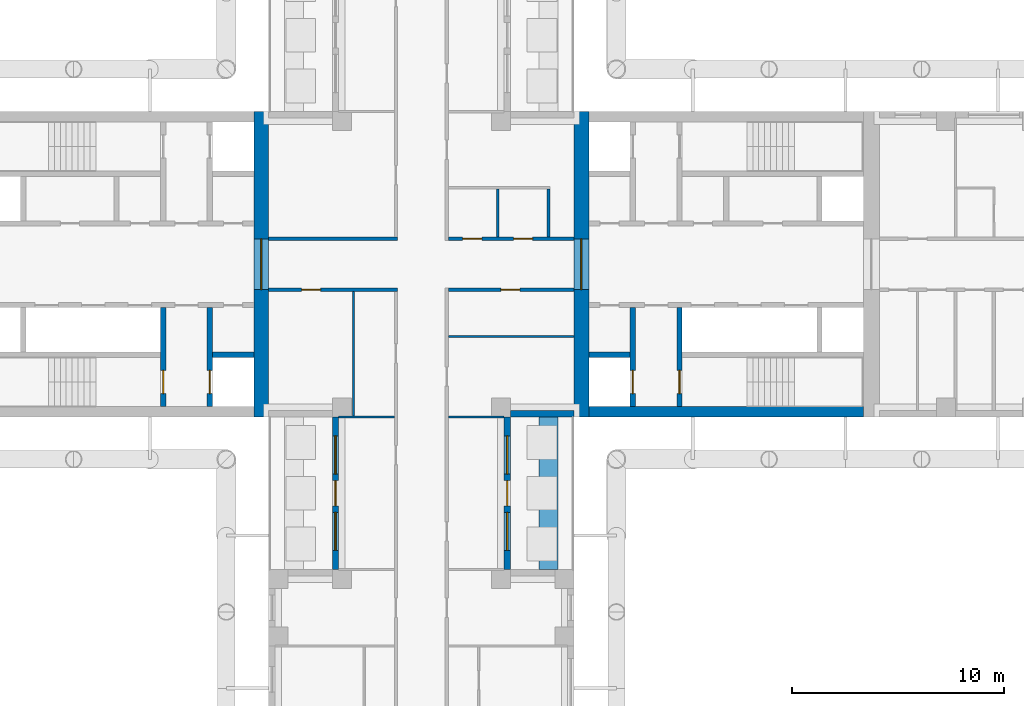
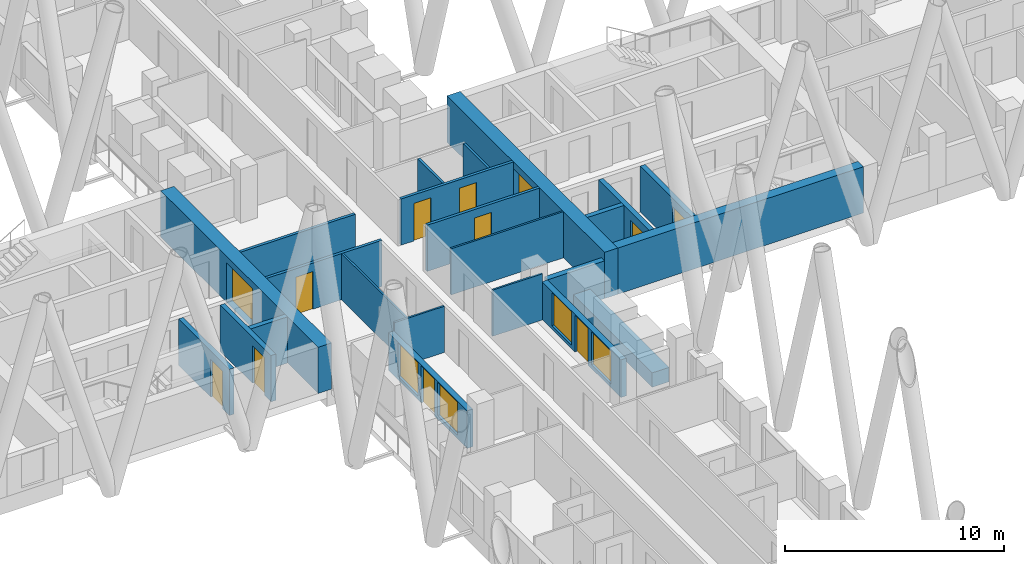
# One storey, part 8 of 16: 23 walls, 12 doors, 4 windows, 16 openings.
"""IFC4 building model written with IfcOpenShell, lengths in metres."""

from ifc_helpers import new_model, si_unit, direction, frame, frame_2d, origin, place, context, subcontext, project, spatial, rectangle, extrude, material, layer, layer_set, type_object, element, fill, save


model = new_model("IFC4")

# Units and contexts
model_context = context("Model", 3, precision=1e-05, world=origin(), true_north=direction((0.0, 1.0)))
body_context = subcontext(model_context, "Body", "Model", "MODEL_VIEW")
ifc_project = project(units=[si_unit("LENGTHUNIT", "METRE"), si_unit("AREAUNIT", "SQUARE_METRE"), si_unit("VOLUMEUNIT", "CUBIC_METRE"), si_unit("PLANEANGLEUNIT", "RADIAN"), si_unit("MASSUNIT", "GRAM", prefix="KILO")], contexts=[model_context])

# Site, building, storey
site_placement = place(None, origin())
site = spatial("IfcSite", under=ifc_project, at=site_placement, CompositionType="ELEMENT")
building_placement = place(site_placement, origin())
building = spatial("IfcBuilding", under=site, at=building_placement, Name="Fustian Cross Tower", CompositionType="ELEMENT")
storey_placement = place(building_placement, frame((0.0, 0.0, 44.699951171875)))
storey = spatial("IfcBuildingStorey", under=building, at=storey_placement, Name="L13", CompositionType="ELEMENT", Elevation=44.699951171875)

# Wall, opening, door
ifc_material_1 = material(Name="Plasterboard on steel stud", Category="steel")
ifc_layer_1 = layer(ifc_material_1, 0.14990234375)
ifc_layer_set_1 = layer_set([ifc_layer_1], Name="Plasterboard on steel stud")
wall_type_1 = type_object("IfcWallType", Name="COMPARTMENT WALL 150 EI 60", PredefinedType="PARTITIONING", material=ifc_layer_set_1)
wall_1_placement = place(storey_placement, frame((-7.199951171875, -1.199951171875, 0.0), z_axis=(0.0, 0.0, 1.0), x_axis=(1.0, 0.0, 0.0)))
wall_1 = element("IfcWall", 1, at=wall_1_placement, inside=storey, type_object=wall_type_1, Name="Partition 16", PredefinedType="PARTITIONING", context=body_context, shape_type="SweptSolid", body=[
    extrude(rectangle(XDim=6.074951171875, YDim=0.14990234375, at=frame_2d((3.03759765625, 0.0))), origin(), (0.0, 0.0, 1.0), 2.574951171875),
])
opening_1_placement = place(wall_1_placement, frame((1.550048828125, 0.0, 0.0)))
opening_1 = element("IfcOpeningElement", 2, at=opening_1_placement, cuts=wall_1, Name="Opening D08008", PredefinedType="OPENING", context=body_context, shape_type="SweptSolid", body=[
    extrude(rectangle(XDim=0.89990234375, YDim=2.10009765625, at=frame_2d((0.449951171875, 1.050048828125))), frame((0.0, 0.0849609375, 0.0), z_axis=(0.0, -1.0, 0.0), x_axis=(1.0, 0.0, 0.0)), (0.0, 0.0, 1.0), 0.169921875),
])
ifc_material_2 = material(Name="Timber fire door set", Category="wood")
door_type_1 = type_object("IfcDoorType", Name="FIRE SWING DOOR 900 FD30S", OperationType="SINGLE_SWING_LEFT", PredefinedType="DOOR", material=ifc_material_2)
door_1_placement = place(opening_1_placement, frame((0.89990234375, 0.0, 0.0), z_axis=(0.0, 0.0, 1.0), x_axis=(-1.0, 0.0, 0.0)))
door_1 = element("IfcDoor", 3, at=door_1_placement, inside=storey, type_object=door_type_1, Name="Door D08008", OperationType="SINGLE_SWING_RIGHT", OverallHeight=2.10009765625, OverallWidth=0.89990234375, PredefinedType="DOOR", context=body_context, shape_type="SweptSolid", body=[
    extrude(rectangle(XDim=0.89990234375, YDim=2.10009765625, at=frame_2d((0.449951171875, 1.050048828125))), frame((0.0, 0.02490234375, 0.0), z_axis=(0.0, -1.0, 0.0), x_axis=(1.0, 0.0, 0.0)), (0.0, 0.0, 1.0), 0.050048828125),
])
fill(opening_1, door_1)

# Wall
wall_2_placement = place(storey_placement, frame((-7.199951171875, 1.199951171875, 0.0), z_axis=(0.0, 0.0, 1.0), x_axis=(1.0, 0.0, 0.0)))
element("IfcWall", 4, at=wall_2_placement, inside=storey, type_object=wall_type_1, Name="Partition 17", PredefinedType="PARTITIONING", context=body_context, shape_type="SweptSolid", body=[
    extrude(rectangle(XDim=6.074951171875, YDim=0.14990234375, at=frame_2d((3.03759765625, 0.0))), origin(), (0.0, 0.0, 1.0), 2.574951171875),
])

# Wall, opening, door
wall_3_placement = place(storey_placement, frame((1.27490234375, -1.199951171875, 0.0), z_axis=(0.0, 0.0, 1.0), x_axis=(1.0, 0.0, 0.0)))
wall_3 = element("IfcWall", 5, at=wall_3_placement, inside=storey, type_object=wall_type_1, Name="Partition 50", PredefinedType="PARTITIONING", context=body_context, shape_type="SweptSolid", body=[
    extrude(rectangle(XDim=5.925048828125, YDim=0.14990234375, at=frame_2d((2.96240234375, 0.0))), origin(), (0.0, 0.0, 1.0), 2.574951171875),
])
opening_2_placement = place(wall_3_placement, frame((2.47509765625, 0.0, 0.0)))
opening_2 = element("IfcOpeningElement", 6, at=opening_2_placement, cuts=wall_3, Name="Opening D08005", PredefinedType="OPENING", context=body_context, shape_type="SweptSolid", body=[
    extrude(rectangle(XDim=0.89990234375, YDim=2.10009765625, at=frame_2d((0.449951171875, 1.050048828125))), frame((0.0, 0.0849609375, 0.0), z_axis=(0.0, -1.0, 0.0), x_axis=(1.0, 0.0, 0.0)), (0.0, 0.0, 1.0), 0.169921875),
])
door_2_placement = place(opening_2_placement, frame((0.89990234375, 0.0, 0.0), z_axis=(0.0, 0.0, 1.0), x_axis=(-1.0, 0.0, 0.0)))
door_2 = element("IfcDoor", 7, at=door_2_placement, inside=storey, type_object=door_type_1, Name="Door D08005", OperationType="SINGLE_SWING_RIGHT", OverallHeight=2.10009765625, OverallWidth=0.89990234375, PredefinedType="DOOR", context=body_context, shape_type="SweptSolid", body=[
    extrude(rectangle(XDim=0.89990234375, YDim=2.10009765625, at=frame_2d((0.449951171875, 1.050048828125))), frame((0.0, 0.02490234375, 0.0), z_axis=(0.0, -1.0, 0.0), x_axis=(1.0, 0.0, 0.0)), (0.0, 0.0, 1.0), 0.050048828125),
])
fill(opening_2, door_2)

# Wall, openings, doors
wall_4_placement = place(storey_placement, frame((1.27490234375, 1.199951171875, 0.0), z_axis=(0.0, 0.0, 1.0), x_axis=(1.0, 0.0, 0.0)))
wall_4 = element("IfcWall", 8, at=wall_4_placement, inside=storey, type_object=wall_type_1, Name="Partition 52", PredefinedType="PARTITIONING", context=body_context, shape_type="SweptSolid", body=[
    extrude(rectangle(XDim=5.925048828125, YDim=0.14990234375, at=frame_2d((2.96240234375, 0.0))), origin(), (0.0, 0.0, 1.0), 2.574951171875),
])
opening_3_placement = place(wall_4_placement, frame((0.675048828125, 0.0, 0.0)))
opening_3 = element("IfcOpeningElement", 9, at=opening_3_placement, cuts=wall_4, Name="Opening D08001", PredefinedType="OPENING", context=body_context, shape_type="SweptSolid", body=[
    extrude(rectangle(XDim=0.89990234375, YDim=2.10009765625, at=frame_2d((0.449951171875, 1.050048828125))), frame((0.0, 0.0849609375, 0.0), z_axis=(0.0, -1.0, 0.0), x_axis=(1.0, 0.0, 0.0)), (0.0, 0.0, 1.0), 0.169921875),
])
opening_4_placement = place(wall_4_placement, frame((3.074951171875, 0.0, 0.0)))
opening_4 = element("IfcOpeningElement", 10, at=opening_4_placement, cuts=wall_4, Name="Opening D08002", PredefinedType="OPENING", context=body_context, shape_type="SweptSolid", body=[
    extrude(rectangle(XDim=0.89990234375, YDim=2.10009765625, at=frame_2d((0.449951171875, 1.050048828125))), frame((0.0, 0.0849609375, 0.0), z_axis=(0.0, -1.0, 0.0), x_axis=(1.0, 0.0, 0.0)), (0.0, 0.0, 1.0), 0.169921875),
])
door_3_placement = place(opening_3_placement, origin())
door_3 = element("IfcDoor", 11, at=door_3_placement, inside=storey, type_object=door_type_1, Name="Door D08001", OperationType="SINGLE_SWING_LEFT", OverallHeight=2.10009765625, OverallWidth=0.89990234375, PredefinedType="DOOR", context=body_context, shape_type="SweptSolid", body=[
    extrude(rectangle(XDim=0.89990234375, YDim=2.10009765625, at=frame_2d((0.449951171875, 1.050048828125))), frame((0.0, 0.02490234375, 0.0), z_axis=(0.0, -1.0, 0.0), x_axis=(1.0, 0.0, 0.0)), (0.0, 0.0, 1.0), 0.050048828125),
])
fill(opening_3, door_3)
door_4_placement = place(opening_4_placement, origin())
door_4 = element("IfcDoor", 12, at=door_4_placement, inside=storey, type_object=door_type_1, Name="Door D08002", OperationType="SINGLE_SWING_LEFT", OverallHeight=2.10009765625, OverallWidth=0.89990234375, PredefinedType="DOOR", context=body_context, shape_type="SweptSolid", body=[
    extrude(rectangle(XDim=0.89990234375, YDim=2.10009765625, at=frame_2d((0.449951171875, 1.050048828125))), frame((0.0, 0.02490234375, 0.0), z_axis=(0.0, -1.0, 0.0), x_axis=(1.0, 0.0, 0.0)), (0.0, 0.0, 1.0), 0.050048828125),
])
fill(opening_4, door_4)

# Wall, opening, door
ifc_material_3 = material(Name="Concrete C80/95", Category="concrete")
ifc_layer_2 = layer(ifc_material_3, 0.699951171875)
ifc_layer_set_2 = layer_set([ifc_layer_2], Name="Concrete C80/95")
wall_type_2 = type_object("IfcWallType", Name="CORE END WALL 700 C80/95", PredefinedType="SHEAR", material=ifc_layer_set_2)
wall_5_placement = place(storey_placement, frame((7.550048828125, -7.199951171875, 0.0), z_axis=(0.0, 0.0, 1.0), x_axis=(0.0, 1.0, 0.0)))
wall_5 = element("IfcWall", 13, at=wall_5_placement, inside=storey, type_object=wall_type_2, Name="Core end wall", PredefinedType="SHEAR", context=body_context, shape_type="SweptSolid", body=[
    extrude(rectangle(XDim=14.39990234375, YDim=0.699951171875, at=frame_2d((7.199951171875, 0.0))), origin(), (0.0, 0.0, 1.0), 2.574951171875),
])
opening_5_placement = place(wall_5_placement, frame((6.0, 0.0, 0.0)))
opening_5 = element("IfcOpeningElement", 14, at=opening_5_placement, cuts=wall_5, Name="Opening CD-05-12", PredefinedType="OPENING", context=body_context, shape_type="SweptSolid", body=[
    extrude(rectangle(XDim=2.39990234375, YDim=2.199951171875, at=frame_2d((1.199951171875, 1.10009765625))), frame((0.0, 0.35986328125, 0.0), z_axis=(0.0, -1.0, 0.0), x_axis=(1.0, 0.0, 0.0)), (0.0, 0.0, 1.0), 0.719970703125),
])
ifc_material_4 = material(Name="Steel", Category="steel")
door_type_2 = type_object("IfcDoorType", Name="FIRE DOOR FD30S DOUBLE 2400X2200", OperationType="DOUBLE_DOOR_DOUBLE_SWING", PredefinedType="DOOR", material=ifc_material_4)
door_5_placement = place(opening_5_placement, frame((2.39990234375, 0.0, 0.0), z_axis=(0.0, 0.0, 1.0), x_axis=(-1.0, 0.0, 0.0)))
door_5 = element("IfcDoor", 15, at=door_5_placement, inside=storey, type_object=door_type_2, Name="Core door CD-05-12", OperationType="DOUBLE_DOOR_DOUBLE_SWING", OverallHeight=2.199951171875, OverallWidth=2.39990234375, PredefinedType="DOOR", context=body_context, shape_type="SweptSolid", body=[
    extrude(rectangle(XDim=2.39990234375, YDim=2.199951171875, at=frame_2d((1.199951171875, 1.10009765625))), frame((0.0, 0.02490234375, 0.0), z_axis=(0.0, -1.0, 0.0), x_axis=(1.0, 0.0, 0.0)), (0.0, 0.0, 1.0), 0.050048828125),
])
fill(opening_5, door_5)

wall_6_placement = place(storey_placement, frame((-7.550048828125, -7.199951171875, 0.0), z_axis=(0.0, 0.0, 1.0), x_axis=(0.0, 1.0, 0.0)))
wall_6 = element("IfcWall", 16, at=wall_6_placement, inside=storey, type_object=wall_type_2, Name="Core end wall", PredefinedType="SHEAR", context=body_context, shape_type="SweptSolid", body=[
    extrude(rectangle(XDim=14.39990234375, YDim=0.699951171875, at=frame_2d((7.199951171875, 0.0))), origin(), (0.0, 0.0, 1.0), 2.574951171875),
])
opening_6_placement = place(wall_6_placement, frame((6.0, 0.0, 0.0)))
opening_6 = element("IfcOpeningElement", 17, at=opening_6_placement, cuts=wall_6, Name="Opening CD-05-27", PredefinedType="OPENING", context=body_context, shape_type="SweptSolid", body=[
    extrude(rectangle(XDim=2.39990234375, YDim=2.199951171875, at=frame_2d((1.199951171875, 1.10009765625))), frame((0.0, 0.35986328125, 0.0), z_axis=(0.0, -1.0, 0.0), x_axis=(1.0, 0.0, 0.0)), (0.0, 0.0, 1.0), 0.719970703125),
])
door_6_placement = place(opening_6_placement, origin())
door_6 = element("IfcDoor", 18, at=door_6_placement, inside=storey, type_object=door_type_2, Name="Core door CD-05-27", OperationType="DOUBLE_DOOR_DOUBLE_SWING", OverallHeight=2.199951171875, OverallWidth=2.39990234375, PredefinedType="DOOR", context=body_context, shape_type="SweptSolid", body=[
    extrude(rectangle(XDim=2.39990234375, YDim=2.199951171875, at=frame_2d((1.199951171875, 1.10009765625))), frame((0.0, 0.02490234375, 0.0), z_axis=(0.0, -1.0, 0.0), x_axis=(1.0, 0.0, 0.0)), (0.0, 0.0, 1.0), 0.050048828125),
])
fill(opening_6, door_6)

# Walls
ifc_material_5 = material(Name="Concrete C80/95", Category="concrete")
ifc_layer_3 = layer(ifc_material_5, 0.5)
ifc_layer_set_3 = layer_set([ifc_layer_3], Name="Concrete C80/95")
wall_type_3 = type_object("IfcWallType", Name="CORE FACADE WALL 500 C80/95", PredefinedType="SHEAR", material=ifc_layer_set_3)
wall_7_placement = place(storey_placement, frame((7.89990234375, -6.949951171875, 0.0), z_axis=(0.0, 0.0, 1.0), x_axis=(1.0, 0.0, 0.0)))
element("IfcWall", 19, at=wall_7_placement, inside=storey, type_object=wall_type_3, Name="Core facade wall", PredefinedType="SHEAR", context=body_context, shape_type="SweptSolid", body=[
    extrude(rectangle(XDim=12.9501953125, YDim=0.5, at=frame_2d((6.47509765625, 0.0))), origin(), (0.0, 0.0, 1.0), 2.574951171875),
])
ifc_material_6 = material(Name="Concrete C50/60", Category="concrete")
ifc_layer_4 = layer(ifc_material_6, 0.25)
ifc_layer_set_4 = layer_set([ifc_layer_4], Name="Concrete C50/60")
wall_type_4 = type_object("IfcWallType", Name="CORE SHAFT WALL 250 C50/60", PredefinedType="SHEAR", material=ifc_layer_set_4)
wall_8_placement = place(storey_placement, frame((7.89990234375, -4.27490234375, 0.0), z_axis=(0.0, 0.0, 1.0), x_axis=(1.0, 0.0, 0.0)))
element("IfcWall", 20, at=wall_8_placement, inside=storey, type_object=wall_type_4, Name="Core shaft wall", PredefinedType="SHEAR", context=body_context, shape_type="SweptSolid", body=[
    extrude(rectangle(XDim=1.9501953125, YDim=0.25, at=frame_2d((0.97509765625, 0.0))), origin(), (0.0, 0.0, 1.0), 2.574951171875),
])

# Wall, opening, door
wall_9_placement = place(storey_placement, frame((9.97509765625, -2.050048828125, 0.0), z_axis=(0.0, 0.0, 1.0), x_axis=(0.0, -1.0, 0.0)))
wall_9 = element("IfcWall", 21, at=wall_9_placement, inside=storey, type_object=wall_type_4, Name="Core shaft wall", PredefinedType="SHEAR", context=body_context, shape_type="SweptSolid", body=[
    extrude(rectangle(XDim=4.64990234375, YDim=0.25, at=frame_2d((2.324951171875, 0.0))), origin(), (0.0, 0.0, 1.0), 2.574951171875),
])
opening_7_placement = place(wall_9_placement, frame((2.949951171875, 0.0, 0.0)))
opening_7 = element("IfcOpeningElement", 22, at=opening_7_placement, cuts=wall_9, Name="Opening LD", PredefinedType="OPENING", context=body_context, shape_type="SweptSolid", body=[
    extrude(rectangle(XDim=1.10009765625, YDim=2.10009765625, at=frame_2d((0.550048828125, 1.050048828125))), frame((0.0, 0.135009765625, 0.0), z_axis=(0.0, -1.0, 0.0), x_axis=(1.0, 0.0, 0.0)), (0.0, 0.0, 1.0), 0.27001953125),
])
ifc_material_7 = material(Name="Stainless steel", Category="steel")
door_type_3 = type_object("IfcDoorType", Name="LIFT LANDING DOOR 1100X2100", OperationType="SLIDING_TO_LEFT", PredefinedType="DOOR", material=ifc_material_7)
door_7_placement = place(opening_7_placement, origin())
door_7 = element("IfcDoor", 23, at=door_7_placement, inside=storey, type_object=door_type_3, Name="Landing door SV1", OperationType="SLIDING_TO_LEFT", OverallHeight=2.10009765625, OverallWidth=1.10009765625, PredefinedType="DOOR", context=body_context, shape_type="SweptSolid", body=[
    extrude(rectangle(XDim=1.10009765625, YDim=2.10009765625, at=frame_2d((0.550048828125, 1.050048828125))), frame((0.0, 0.02490234375, 0.0), z_axis=(0.0, -1.0, 0.0), x_axis=(1.0, 0.0, 0.0)), (0.0, 0.0, 1.0), 0.050048828125),
])
fill(opening_7, door_7)

wall_10_placement = place(storey_placement, frame((12.175048828125, -2.050048828125, 0.0), z_axis=(0.0, 0.0, 1.0), x_axis=(0.0, -1.0, 0.0)))
wall_10 = element("IfcWall", 24, at=wall_10_placement, inside=storey, type_object=wall_type_4, Name="Core shaft wall", PredefinedType="SHEAR", context=body_context, shape_type="SweptSolid", body=[
    extrude(rectangle(XDim=4.64990234375, YDim=0.25, at=frame_2d((2.324951171875, 0.0))), origin(), (0.0, 0.0, 1.0), 2.574951171875),
])
opening_8_placement = place(wall_10_placement, frame((2.949951171875, 0.0, 0.0)))
opening_8 = element("IfcOpeningElement", 25, at=opening_8_placement, cuts=wall_10, Name="Opening CD-05-07", PredefinedType="OPENING", context=body_context, shape_type="SweptSolid", body=[
    extrude(rectangle(XDim=1.10009765625, YDim=2.10009765625, at=frame_2d((0.550048828125, 1.050048828125))), frame((0.0, 0.135009765625, 0.0), z_axis=(0.0, -1.0, 0.0), x_axis=(1.0, 0.0, 0.0)), (0.0, 0.0, 1.0), 0.27001953125),
])
ifc_material_8 = material(Name="Steel", Category="steel")
door_type_4 = type_object("IfcDoorType", Name="FIRE DOOR FD60S 1100X2100", OperationType="SINGLE_SWING_LEFT", PredefinedType="DOOR", material=ifc_material_8)
door_8_placement = place(opening_8_placement, origin())
door_8 = element("IfcDoor", 26, at=door_8_placement, inside=storey, type_object=door_type_4, Name="Core door CD-05-07", OperationType="SINGLE_SWING_LEFT", OverallHeight=2.10009765625, OverallWidth=1.10009765625, PredefinedType="DOOR", context=body_context, shape_type="SweptSolid", body=[
    extrude(rectangle(XDim=1.10009765625, YDim=2.10009765625, at=frame_2d((0.550048828125, 1.050048828125))), frame((0.0, 0.02490234375, 0.0), z_axis=(0.0, -1.0, 0.0), x_axis=(1.0, 0.0, 0.0)), (0.0, 0.0, 1.0), 0.050048828125),
])
fill(opening_8, door_8)

# Wall
wall_11_placement = place(storey_placement, frame((-7.89990234375, -4.27490234375, 0.0), z_axis=(0.0, 0.0, 1.0), x_axis=(-1.0, 0.0, 0.0)))
element("IfcWall", 27, at=wall_11_placement, inside=storey, type_object=wall_type_4, Name="Core shaft wall", PredefinedType="SHEAR", context=body_context, shape_type="SweptSolid", body=[
    extrude(rectangle(XDim=1.9501953125, YDim=0.25, at=frame_2d((0.97509765625, 0.0))), origin(), (0.0, 0.0, 1.0), 2.574951171875),
])

# Wall, opening, door
wall_12_placement = place(storey_placement, frame((-9.97509765625, -2.050048828125, 0.0), z_axis=(0.0, 0.0, 1.0), x_axis=(0.0, -1.0, 0.0)))
wall_12 = element("IfcWall", 28, at=wall_12_placement, inside=storey, type_object=wall_type_4, Name="Core shaft wall", PredefinedType="SHEAR", context=body_context, shape_type="SweptSolid", body=[
    extrude(rectangle(XDim=4.64990234375, YDim=0.25, at=frame_2d((2.324951171875, 0.0))), origin(), (0.0, 0.0, 1.0), 2.574951171875),
])
opening_9_placement = place(wall_12_placement, frame((2.949951171875, 0.0, 0.0)))
opening_9 = element("IfcOpeningElement", 29, at=opening_9_placement, cuts=wall_12, Name="Opening LD", PredefinedType="OPENING", context=body_context, shape_type="SweptSolid", body=[
    extrude(rectangle(XDim=1.10009765625, YDim=2.10009765625, at=frame_2d((0.550048828125, 1.050048828125))), frame((0.0, 0.135009765625, 0.0), z_axis=(0.0, -1.0, 0.0), x_axis=(1.0, 0.0, 0.0)), (0.0, 0.0, 1.0), 0.27001953125),
])
door_9_placement = place(opening_9_placement, origin())
door_9 = element("IfcDoor", 30, at=door_9_placement, inside=storey, type_object=door_type_3, Name="Landing door SV1W", OperationType="SLIDING_TO_LEFT", OverallHeight=2.10009765625, OverallWidth=1.10009765625, PredefinedType="DOOR", context=body_context, shape_type="SweptSolid", body=[
    extrude(rectangle(XDim=1.10009765625, YDim=2.10009765625, at=frame_2d((0.550048828125, 1.050048828125))), frame((0.0, 0.02490234375, 0.0), z_axis=(0.0, -1.0, 0.0), x_axis=(1.0, 0.0, 0.0)), (0.0, 0.0, 1.0), 0.050048828125),
])
fill(opening_9, door_9)

wall_13_placement = place(storey_placement, frame((-12.175048828125, -2.050048828125, 0.0), z_axis=(0.0, 0.0, 1.0), x_axis=(0.0, -1.0, 0.0)))
wall_13 = element("IfcWall", 31, at=wall_13_placement, inside=storey, type_object=wall_type_4, Name="Core shaft wall", PredefinedType="SHEAR", context=body_context, shape_type="SweptSolid", body=[
    extrude(rectangle(XDim=4.64990234375, YDim=0.25, at=frame_2d((2.324951171875, 0.0))), origin(), (0.0, 0.0, 1.0), 2.574951171875),
])
opening_10_placement = place(wall_13_placement, frame((2.949951171875, 0.0, 0.0)))
opening_10 = element("IfcOpeningElement", 32, at=opening_10_placement, cuts=wall_13, Name="Opening CD-05-22", PredefinedType="OPENING", context=body_context, shape_type="SweptSolid", body=[
    extrude(rectangle(XDim=1.10009765625, YDim=2.10009765625, at=frame_2d((0.550048828125, 1.050048828125))), frame((0.0, 0.135009765625, 0.0), z_axis=(0.0, -1.0, 0.0), x_axis=(1.0, 0.0, 0.0)), (0.0, 0.0, 1.0), 0.27001953125),
])
door_10_placement = place(opening_10_placement, frame((1.10009765625, 0.0, 0.0), z_axis=(0.0, 0.0, 1.0), x_axis=(-1.0, 0.0, 0.0)))
door_10 = element("IfcDoor", 33, at=door_10_placement, inside=storey, type_object=door_type_4, Name="Core door CD-05-22", OperationType="SINGLE_SWING_RIGHT", OverallHeight=2.10009765625, OverallWidth=1.10009765625, PredefinedType="DOOR", context=body_context, shape_type="SweptSolid", body=[
    extrude(rectangle(XDim=1.10009765625, YDim=2.10009765625, at=frame_2d((0.550048828125, 1.050048828125))), frame((0.0, 0.02490234375, 0.0), z_axis=(0.0, -1.0, 0.0), x_axis=(1.0, 0.0, 0.0)), (0.0, 0.0, 1.0), 0.050048828125),
])
fill(opening_10, door_10)

# Walls
ifc_material_9 = material(Name="Plasterboard on steel stud", Category="steel")
ifc_layer_5 = layer(ifc_material_9, 0.10009765625)
ifc_layer_set_5 = layer_set([ifc_layer_5], Name="Plasterboard on steel stud")
wall_type_5 = type_object("IfcWallType", Name="PARTITION 100 STUD", PredefinedType="PARTITIONING", material=ifc_layer_set_5)
wall_14_placement = place(storey_placement, frame((-3.89990234375, -7.199951171875, 0.0), z_axis=(0.0, 0.0, 1.0), x_axis=(1.0, 0.0, 0.0)))
element("IfcWall", 34, at=wall_14_placement, inside=storey, type_object=wall_type_5, Name="Partition 31", PredefinedType="PARTITIONING", context=body_context, shape_type="SweptSolid", body=[
    extrude(rectangle(XDim=2.625, YDim=0.10009765625, at=frame_2d((1.3125, 0.0))), origin(), (0.0, 0.0, 1.0), 2.574951171875),
])
wall_15_placement = place(storey_placement, frame((-3.199951171875, -7.14990234375, 0.0), z_axis=(0.0, 0.0, 1.0), x_axis=(0.0, 1.0, 0.0)))
element("IfcWall", 35, at=wall_15_placement, inside=storey, type_object=wall_type_5, Name="Partition 37", PredefinedType="PARTITIONING", context=body_context, shape_type="SweptSolid", body=[
    extrude(rectangle(XDim=5.875, YDim=0.10009765625, at=frame_2d((2.9375, 0.0))), origin(), (0.0, 0.0, 1.0), 2.574951171875),
])
wall_16_placement = place(storey_placement, frame((1.27490234375, -7.199951171875, 0.0), z_axis=(0.0, 0.0, 1.0), x_axis=(1.0, 0.0, 0.0)))
element("IfcWall", 36, at=wall_16_placement, inside=storey, type_object=wall_type_5, Name="Partition 48", PredefinedType="PARTITIONING", context=body_context, shape_type="SweptSolid", body=[
    extrude(rectangle(XDim=2.625, YDim=0.10009765625, at=frame_2d((1.3125, 0.0))), origin(), (0.0, 0.0, 1.0), 2.574951171875),
])
wall_17_placement = place(storey_placement, frame((1.27490234375, -3.39990234375, 0.0), z_axis=(0.0, 0.0, 1.0), x_axis=(1.0, 0.0, 0.0)))
element("IfcWall", 37, at=wall_17_placement, inside=storey, type_object=wall_type_5, Name="Partition 49", PredefinedType="PARTITIONING", context=body_context, shape_type="SweptSolid", body=[
    extrude(rectangle(XDim=5.925048828125, YDim=0.10009765625, at=frame_2d((2.96240234375, 0.0))), origin(), (0.0, 0.0, 1.0), 2.574951171875),
])
ifc_material_10 = material(Name="Concrete C40/50", Category="concrete")
ifc_layer_6 = layer(ifc_material_10, 0.89990234375)
ifc_layer_set_6 = layer_set([ifc_layer_6], Name="Concrete C40/50")
wall_type_6 = type_object("IfcWallType", Name="PK1 PLANTER 900", PredefinedType="PARAPET", material=ifc_layer_set_6)
wall_18_placement = place(storey_placement, frame((6.0, -14.39990234375, 0.0), z_axis=(0.0, 0.0, 1.0), x_axis=(0.0, 1.0, 0.0)))
element("IfcWall", 38, at=wall_18_placement, inside=storey, type_object=wall_type_6, Name="PLANTER", PredefinedType="PARAPET", context=body_context, shape_type="SweptSolid", body=[
    extrude(rectangle(XDim=7.199951171875, YDim=0.89990234375, at=frame_2d((3.60009765625, 0.0))), origin(), (0.0, 0.0, 1.0), 0.800048828125),
])
ifc_material_11 = material(Name="Plasterboard on steel stud", Category="steel")
ifc_layer_7 = layer(ifc_material_11, 0.125)
ifc_layer_set_7 = layer_set([ifc_layer_7], Name="Plasterboard on steel stud")
wall_type_7 = type_object("IfcWallType", Name="WET WALL 125 STUD", PredefinedType="PARTITIONING", material=ifc_layer_set_7)
for number, where, z_axis, x_axis, name in (
    (39, (3.60009765625, 1.27490234375, 0.0), (0.0, 0.0, 1.0), (0.0, 1.0, 0.0), "Partition 67"),
    (40, (6.0, 1.27490234375, 0.0), (0.0, 0.0, 1.0), (0.0, 1.0, 0.0), "Partition 76"),
):
    element("IfcWall", number, at=place(storey_placement, frame(where, z_axis=z_axis, x_axis=x_axis)), inside=storey, type_object=wall_type_7, Name=name, PredefinedType="PARTITIONING", context=body_context, shape_type="SweptSolid", body=[
        extrude(rectangle(XDim=2.2626953125, YDim=0.125, at=frame_2d((1.13134765625, 0.0))), origin(), (0.0, 0.0, 1.0), 2.574951171875),
    ])

# Wall, openings, door, windows
ifc_material_12 = material(Name="Dark aluminium cladding on insulated backing wall", Category="aluminium")
ifc_layer_8 = layer(ifc_material_12, 0.300048828125)
ifc_layer_set_8 = layer_set([ifc_layer_8], Name="Dark aluminium cladding on insulated backing wall")
wall_type_8 = type_object("IfcWallType", Name="XW1 EXTERNAL WALL 300", PredefinedType="SOLIDWALL", material=ifc_layer_set_8)
wall_19_placement = place(storey_placement, frame((-4.050048828125, -7.199951171875, 0.0), z_axis=(0.0, 0.0, 1.0), x_axis=(0.0, -1.0, 0.0)))
wall_19 = element("IfcWall", 41, at=wall_19_placement, inside=storey, type_object=wall_type_8, Name="External wall", PredefinedType="SOLIDWALL", context=body_context, shape_type="SweptSolid", body=[
    extrude(rectangle(XDim=7.199951171875, YDim=0.300048828125, at=frame_2d((3.60009765625, 0.0))), origin(), (0.0, 0.0, 1.0), 2.10009765625),
])
opening_11_placement = place(wall_19_placement, frame((3.0, 0.0, 0.0)))
opening_11 = element("IfcOpeningElement", 42, at=opening_11_placement, cuts=wall_19, Name="Opening XD4", PredefinedType="OPENING", context=body_context, shape_type="SweptSolid", body=[
    extrude(rectangle(XDim=1.199951171875, YDim=2.050048828125, at=frame_2d((0.60009765625, 1.02490234375))), frame((0.0, 0.159912109375, 0.0), z_axis=(0.0, -1.0, 0.0), x_axis=(1.0, 0.0, 0.0)), (0.0, 0.0, 1.0), 0.320068359375),
])
opening_12_placement = place(wall_19_placement, frame((0.89990234375, 0.0, 0.199951171875)))
opening_12 = element("IfcOpeningElement", 43, at=opening_12_placement, cuts=wall_19, Name="Opening WN2", PredefinedType="OPENING", context=body_context, shape_type="SweptSolid", body=[
    extrude(rectangle(XDim=1.800048828125, YDim=1.85009765625, at=frame_2d((0.89990234375, 0.925048828125))), frame((0.0, 0.159912109375, 0.0), z_axis=(0.0, -1.0, 0.0), x_axis=(1.0, 0.0, 0.0)), (0.0, 0.0, 1.0), 0.320068359375),
])
opening_13_placement = place(wall_19_placement, frame((4.5, 0.0, 0.199951171875)))
opening_13 = element("IfcOpeningElement", 44, at=opening_13_placement, cuts=wall_19, Name="Opening WN2", PredefinedType="OPENING", context=body_context, shape_type="SweptSolid", body=[
    extrude(rectangle(XDim=1.800048828125, YDim=1.85009765625, at=frame_2d((0.89990234375, 0.925048828125))), frame((0.0, 0.159912109375, 0.0), z_axis=(0.0, -1.0, 0.0), x_axis=(1.0, 0.0, 0.0)), (0.0, 0.0, 1.0), 0.320068359375),
])
ifc_material_13 = material(Name="Dark anodised aluminium and double glazing", Category="aluminium")
door_type_5 = type_object("IfcDoorType", Name="ED1 BALCONY DOOR 1200X2050", OperationType="SINGLE_SWING_LEFT", PredefinedType="DOOR", material=ifc_material_13)
door_11_placement = place(opening_11_placement, origin())
door_11 = element("IfcDoor", 45, at=door_11_placement, inside=storey, type_object=door_type_5, Name="Balcony door", OperationType="SINGLE_SWING_LEFT", OverallHeight=2.050048828125, OverallWidth=1.199951171875, PredefinedType="DOOR", context=body_context, shape_type="SweptSolid", body=[
    extrude(rectangle(XDim=1.199951171875, YDim=2.050048828125, at=frame_2d((0.60009765625, 1.02490234375))), frame((0.0, 0.02490234375, 0.0), z_axis=(0.0, -1.0, 0.0), x_axis=(1.0, 0.0, 0.0)), (0.0, 0.0, 1.0), 0.050048828125),
])
fill(opening_11, door_11)
ifc_material_14 = material(Name="Dark anodised aluminium and double glazing", Category="aluminium")
window_type = type_object("IfcWindowType", Name="WN2 WINDOW 1800X1850", PartitioningType="SINGLE_PANEL", PredefinedType="WINDOW", material=ifc_material_14)
window_1_placement = place(opening_12_placement, origin())
window_1 = element("IfcWindow", 46, at=window_1_placement, inside=storey, type_object=window_type, Name="Window", OverallHeight=1.85009765625, OverallWidth=1.800048828125, PartitioningType="SINGLE_PANEL", PredefinedType="WINDOW", context=body_context, shape_type="SweptSolid", body=[
    extrude(rectangle(XDim=1.800048828125, YDim=1.85009765625, at=frame_2d((0.89990234375, 0.925048828125))), frame((0.0, 0.030029296875, 0.0), z_axis=(0.0, -1.0, 0.0), x_axis=(1.0, 0.0, 0.0)), (0.0, 0.0, 1.0), 0.06005859375),
])
fill(opening_12, window_1)
window_2_placement = place(opening_13_placement, origin())
window_2 = element("IfcWindow", 47, at=window_2_placement, inside=storey, type_object=window_type, Name="Window", OverallHeight=1.85009765625, OverallWidth=1.800048828125, PartitioningType="SINGLE_PANEL", PredefinedType="WINDOW", context=body_context, shape_type="SweptSolid", body=[
    extrude(rectangle(XDim=1.800048828125, YDim=1.85009765625, at=frame_2d((0.89990234375, 0.925048828125))), frame((0.0, 0.030029296875, 0.0), z_axis=(0.0, -1.0, 0.0), x_axis=(1.0, 0.0, 0.0)), (0.0, 0.0, 1.0), 0.06005859375),
])
fill(opening_13, window_2)

wall_20_placement = place(storey_placement, frame((4.050048828125, -14.39990234375, 0.0), z_axis=(0.0, 0.0, 1.0), x_axis=(0.0, 1.0, 0.0)))
wall_20 = element("IfcWall", 48, at=wall_20_placement, inside=storey, type_object=wall_type_8, Name="External wall", PredefinedType="SOLIDWALL", context=body_context, shape_type="SweptSolid", body=[
    extrude(rectangle(XDim=7.199951171875, YDim=0.300048828125, at=frame_2d((3.60009765625, 0.0))), origin(), (0.0, 0.0, 1.0), 2.10009765625),
])
opening_14_placement = place(wall_20_placement, frame((3.0, 0.0, 0.0)))
opening_14 = element("IfcOpeningElement", 49, at=opening_14_placement, cuts=wall_20, Name="Opening XD3", PredefinedType="OPENING", context=body_context, shape_type="SweptSolid", body=[
    extrude(rectangle(XDim=1.199951171875, YDim=2.050048828125, at=frame_2d((0.60009765625, 1.02490234375))), frame((0.0, 0.159912109375, 0.0), z_axis=(0.0, -1.0, 0.0), x_axis=(1.0, 0.0, 0.0)), (0.0, 0.0, 1.0), 0.320068359375),
])
opening_15_placement = place(wall_20_placement, frame((0.89990234375, 0.0, 0.199951171875)))
opening_15 = element("IfcOpeningElement", 50, at=opening_15_placement, cuts=wall_20, Name="Opening WN2", PredefinedType="OPENING", context=body_context, shape_type="SweptSolid", body=[
    extrude(rectangle(XDim=1.800048828125, YDim=1.85009765625, at=frame_2d((0.89990234375, 0.925048828125))), frame((0.0, 0.159912109375, 0.0), z_axis=(0.0, -1.0, 0.0), x_axis=(1.0, 0.0, 0.0)), (0.0, 0.0, 1.0), 0.320068359375),
])
opening_16_placement = place(wall_20_placement, frame((4.5, 0.0, 0.199951171875)))
opening_16 = element("IfcOpeningElement", 51, at=opening_16_placement, cuts=wall_20, Name="Opening WN2", PredefinedType="OPENING", context=body_context, shape_type="SweptSolid", body=[
    extrude(rectangle(XDim=1.800048828125, YDim=1.85009765625, at=frame_2d((0.89990234375, 0.925048828125))), frame((0.0, 0.159912109375, 0.0), z_axis=(0.0, -1.0, 0.0), x_axis=(1.0, 0.0, 0.0)), (0.0, 0.0, 1.0), 0.320068359375),
])
door_12_placement = place(opening_14_placement, origin())
door_12 = element("IfcDoor", 52, at=door_12_placement, inside=storey, type_object=door_type_5, Name="Balcony door", OperationType="SINGLE_SWING_LEFT", OverallHeight=2.050048828125, OverallWidth=1.199951171875, PredefinedType="DOOR", context=body_context, shape_type="SweptSolid", body=[
    extrude(rectangle(XDim=1.199951171875, YDim=2.050048828125, at=frame_2d((0.60009765625, 1.02490234375))), frame((0.0, 0.02490234375, 0.0), z_axis=(0.0, -1.0, 0.0), x_axis=(1.0, 0.0, 0.0)), (0.0, 0.0, 1.0), 0.050048828125),
])
fill(opening_14, door_12)
window_3_placement = place(opening_15_placement, origin())
window_3 = element("IfcWindow", 53, at=window_3_placement, inside=storey, type_object=window_type, Name="Window", OverallHeight=1.85009765625, OverallWidth=1.800048828125, PartitioningType="SINGLE_PANEL", PredefinedType="WINDOW", context=body_context, shape_type="SweptSolid", body=[
    extrude(rectangle(XDim=1.800048828125, YDim=1.85009765625, at=frame_2d((0.89990234375, 0.925048828125))), frame((0.0, 0.030029296875, 0.0), z_axis=(0.0, -1.0, 0.0), x_axis=(1.0, 0.0, 0.0)), (0.0, 0.0, 1.0), 0.06005859375),
])
fill(opening_15, window_3)
window_4_placement = place(opening_16_placement, origin())
window_4 = element("IfcWindow", 54, at=window_4_placement, inside=storey, type_object=window_type, Name="Window", OverallHeight=1.85009765625, OverallWidth=1.800048828125, PartitioningType="SINGLE_PANEL", PredefinedType="WINDOW", context=body_context, shape_type="SweptSolid", body=[
    extrude(rectangle(XDim=1.800048828125, YDim=1.85009765625, at=frame_2d((0.89990234375, 0.925048828125))), frame((0.0, 0.030029296875, 0.0), z_axis=(0.0, -1.0, 0.0), x_axis=(1.0, 0.0, 0.0)), (0.0, 0.0, 1.0), 0.06005859375),
])
fill(opening_16, window_4)

# Wall
wall_21_placement = place(storey_placement, frame((4.199951171875, -7.050048828125, 0.0), z_axis=(0.0, 0.0, 1.0), x_axis=(1.0, 0.0, 0.0)))
element("IfcWall", 55, at=wall_21_placement, inside=storey, type_object=wall_type_8, Name="External wall", PredefinedType="SOLIDWALL", context=body_context, shape_type="SweptSolid", body=[
    extrude(rectangle(XDim=3.0, YDim=0.300048828125, at=frame_2d((1.5, 0.0))), origin(), (0.0, 0.0, 1.0), 2.10009765625),
])

save(model, "model.ifc")
